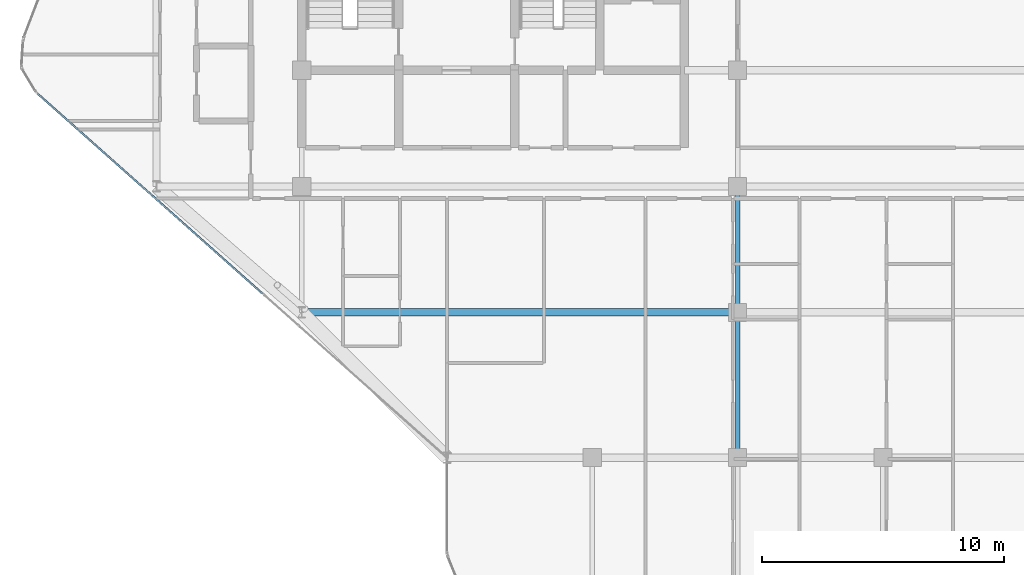
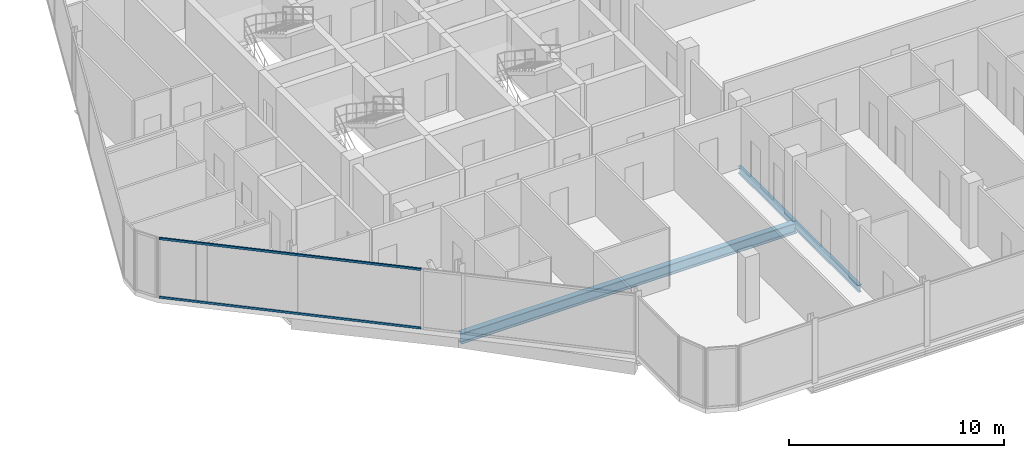
# One storey, part 7 of 29: 3 beams, 2 members, 1 element without a shape of its own.
"""IFC4 building model written with IfcOpenShell, lengths in metres."""

from ifc_helpers import new_model, si_unit, direction, frame, origin, origin_2d, place, context, subcontext, project, spatial, hollow_rectangle, i_section, extrude, material, layer, layer_set, material_profile, profile_set, type_object, element, aggregate, save


model = new_model("IFC4")

# Units and contexts
model_context = context("Model", 3, precision=1e-05, world=origin(), true_north=direction((0.0, 1.0)))
body_context = subcontext(model_context, "Body", "Model", "MODEL_VIEW")
ifc_project = project(units=[si_unit("LENGTHUNIT", "METRE"), si_unit("AREAUNIT", "SQUARE_METRE"), si_unit("VOLUMEUNIT", "CUBIC_METRE"), si_unit("PLANEANGLEUNIT", "RADIAN"), si_unit("MASSUNIT", "GRAM", prefix="KILO")], contexts=[model_context])

# Site, building, storey
site_placement = place(None, origin())
site = spatial("IfcSite", under=ifc_project, at=site_placement, CompositionType="ELEMENT")
building_placement = place(site_placement, origin())
building = spatial("IfcBuilding", under=site, at=building_placement, Name="Keshet Zoharim Tower", CompositionType="ELEMENT")
storey_placement = place(building_placement, frame((0.0, 0.0, 222.800048828125)))
storey = spatial("IfcBuildingStorey", under=building, at=storey_placement, Name="L55", CompositionType="ELEMENT", Elevation=222.800048828125)

# Beams
ifc_material_1 = material(Name="Steel S355", Category="steel")
ifc_material_profile_1 = material_profile(ifc_material_1, i_section(OverallWidth=0.300048828125, OverallDepth=0.60009765625, WebThickness=0.015380859375, FlangeThickness=0.030029296875, FilletRadius=0.027099609375, at=origin_2d()), Name="HEB600")
ifc_profile_set_1 = profile_set([ifc_material_profile_1], Name="Steel S355")
beam_type_1 = type_object("IfcBeamType", Name="BM-LNG-HB600", PredefinedType="BEAM", material=ifc_profile_set_1)
beam_1_placement = place(storey_placement, frame((15.0, 12.699951171875, -0.610107421875), z_axis=(1.0, 0.0, 0.0), x_axis=(0.0, 1.0, 0.0)))
element("IfcBeam", 1, at=beam_1_placement, inside=storey, type_object=beam_type_1, Name="L55 Primary Girder X-009", PredefinedType="BEAM", context=body_context, shape_type="SweptSolid", body=[
    extrude(i_section(OverallWidth=0.300048828125, OverallDepth=0.60009765625, WebThickness=0.015380859375, FlangeThickness=0.030029296875, FilletRadius=0.027099609375, at=origin_2d()), origin(), (0.0, 0.0, 1.0), 18.0),
])
ifc_material_profile_2 = material_profile(ifc_material_1, i_section(OverallWidth=0.179931640625, OverallDepth=0.39990234375, WebThickness=0.008544921875, FlangeThickness=0.013427734375, FilletRadius=0.02099609375, at=origin_2d()), Name="IPE400")
ifc_profile_set_2 = profile_set([ifc_material_profile_2], Name="Steel S355")
beam_type_2 = type_object("IfcBeamType", Name="BM-PRI-IP400", PredefinedType="BEAM", material=ifc_profile_set_2)
beam_2_placement = place(storey_placement, frame((33.0, 6.699951171875, -0.510009765625), z_axis=(0.0, 1.0, 0.0), x_axis=(-1.0, 0.0, 0.0)))
element("IfcBeam", 2, at=beam_2_placement, inside=storey, type_object=beam_type_2, Name="L55 Primary Girder Y-006", PredefinedType="BEAM", context=body_context, shape_type="SweptSolid", body=[
    extrude(i_section(OverallWidth=0.179931640625, OverallDepth=0.39990234375, WebThickness=0.008544921875, FlangeThickness=0.013427734375, FilletRadius=0.02099609375, at=origin_2d()), origin(), (0.0, 0.0, 1.0), 6.0),
])
beam_3_placement = place(storey_placement, frame((33.0, 12.699951171875, -0.510009765625), z_axis=(0.0, 1.0, 0.0), x_axis=(-1.0, 0.0, 0.0)))
element("IfcBeam", 3, at=beam_3_placement, inside=storey, type_object=beam_type_2, Name="L55 Primary Girder Y-007", PredefinedType="BEAM", context=body_context, shape_type="SweptSolid", body=[
    extrude(i_section(OverallWidth=0.179931640625, OverallDepth=0.39990234375, WebThickness=0.008544921875, FlangeThickness=0.013427734375, FilletRadius=0.02099609375, at=origin_2d()), origin(), (0.0, 0.0, 1.0), 5.199951171875),
])

# Curtain wall, members
ifc_material_2 = material(Name="Aluminium 6063-T6", Category="aluminium")
ifc_layer = layer(ifc_material_2, 0.139892578125)
ifc_layer_set = layer_set([ifc_layer], Name="Aluminium 6063-T6")
curtain_wall_type = type_object("IfcCurtainWallType", Name="CW-SYS-05", PredefinedType="NOTDEFINED", material=ifc_layer_set)
curtain_wall_placement = place(storey_placement, origin())
curtain_wall = element("IfcCurtainWall", 4, at=curtain_wall_placement, inside=storey, type_object=curtain_wall_type, Name="L55 Unitised Curtain Wall 10 Part 3", PredefinedType="NOTDEFINED")
ifc_material_profile_3 = material_profile(ifc_material_2, hollow_rectangle(XDim=0.074951171875, YDim=0.1201171875, WallThickness=0.00390625, at=origin_2d()), Name="TRN-75x120")
ifc_profile_set_3 = profile_set([ifc_material_profile_3], Name="Aluminium 6063-T6")
member_type = type_object("IfcMemberType", Name="CWT-T12", PredefinedType="USERDEFINED", material=ifc_profile_set_3)
member_1_placement = place(storey_placement, frame((13.379638671875, 13.4736328125, 0.034912109375), z_axis=(-0.747409318684, 0.66436383883, 0.0), x_axis=(-0.66436383883, -0.747409318684, 0.0)))
member_1 = element("IfcMember", 5, at=member_1_placement, type_object=member_type, Name="CW-05 transom 1.1", ObjectType="TRANSOM", PredefinedType="USERDEFINED", context=body_context, shape_type="SweptSolid", body=[
    extrude(hollow_rectangle(XDim=0.074951171875, YDim=0.1201171875, WallThickness=0.00390625, at=origin_2d()), origin(), (0.0, 0.0, 1.0), 12.4326171875),
])
member_2_placement = place(storey_placement, frame((13.379638671875, 13.4736328125, 3.35498046875), z_axis=(-0.747409318684, 0.66436383883, 0.0), x_axis=(-0.66436383883, -0.747409318684, 0.0)))
member_2 = element("IfcMember", 6, at=member_2_placement, type_object=member_type, Name="CW-05 transom 1.2", ObjectType="TRANSOM", PredefinedType="USERDEFINED", context=body_context, shape_type="SweptSolid", body=[
    extrude(hollow_rectangle(XDim=0.074951171875, YDim=0.1201171875, WallThickness=0.00390625, at=origin_2d()), origin(), (0.0, 0.0, 1.0), 12.4326171875),
])
aggregate(curtain_wall, [member_1, member_2])

save(model, "model.ifc")
